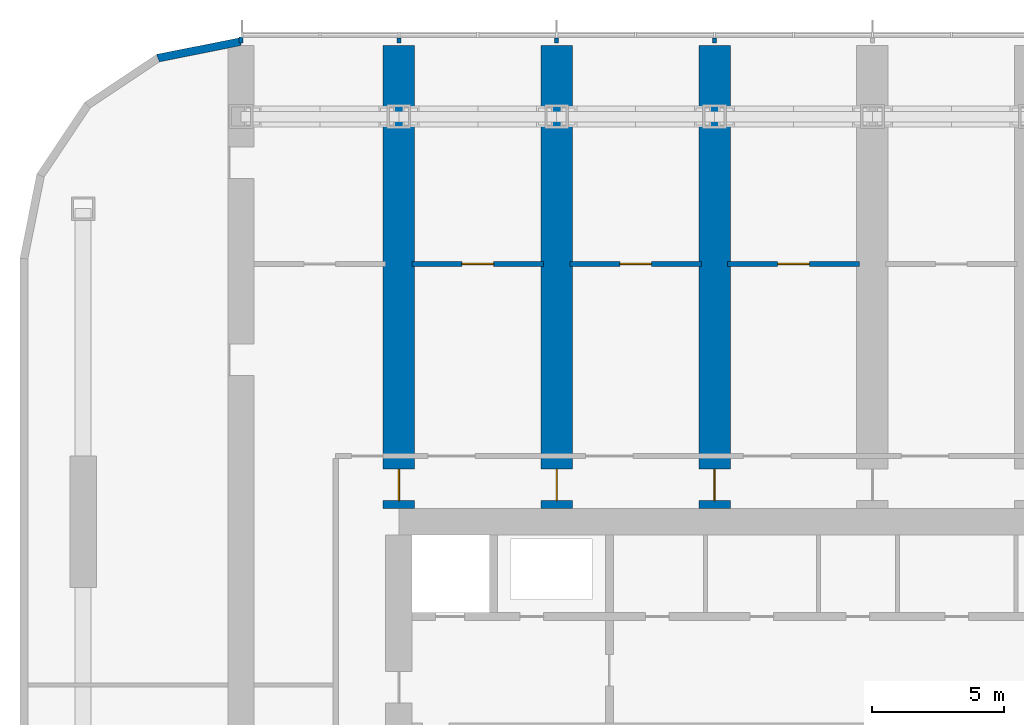
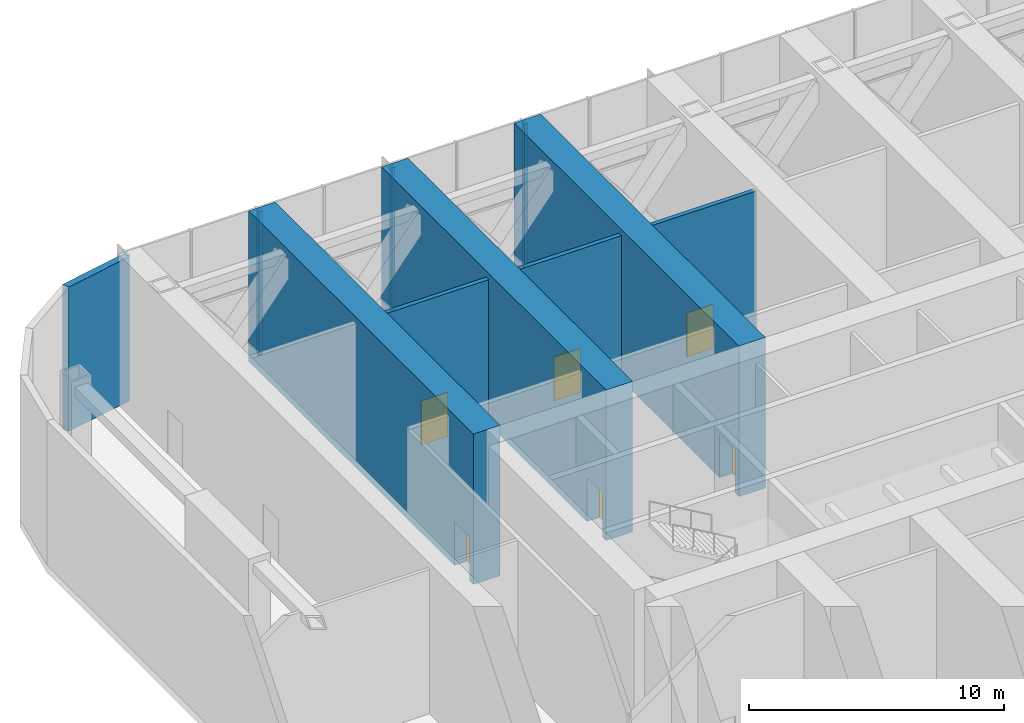
# One storey, part 13 of 24: 11 walls, 6 doors, 6 openings.
"""IFC4 building model written with IfcOpenShell, lengths in metres."""

from ifc_helpers import new_model, si_unit, direction, frame, frame_2d, origin, place, context, subcontext, project, spatial, polyline, rectangle, outline, extrude, material, layer, layer_set, type_object, element, fill, save


model = new_model("IFC4")

# Units and contexts
model_context = context("Model", 3, precision=1e-05, world=origin(), true_north=direction((0.0, 1.0)))
body_context = subcontext(model_context, "Body", "Model", "MODEL_VIEW")
ifc_project = project(units=[si_unit("LENGTHUNIT", "METRE"), si_unit("AREAUNIT", "SQUARE_METRE"), si_unit("VOLUMEUNIT", "CUBIC_METRE"), si_unit("PLANEANGLEUNIT", "RADIAN"), si_unit("MASSUNIT", "GRAM", prefix="KILO")], contexts=[model_context])

# Site, building, storey
site_placement = place(None, origin())
site = spatial("IfcSite", under=ifc_project, at=site_placement, CompositionType="ELEMENT")
building_placement = place(site_placement, origin())
building = spatial("IfcBuilding", under=site, at=building_placement, Name="Orbita Commons", CompositionType="ELEMENT")
storey_placement = place(building_placement, frame((0.0, 0.0, 68.949951171875)))
storey = spatial("IfcBuildingStorey", under=building, at=storey_placement, Name="L17", CompositionType="ELEMENT", Elevation=68.949951171875)

# Wall, opening, door
ifc_material_1 = material(Name="Hollow concrete block 200", Category="concrete")
ifc_layer_1 = layer(ifc_material_1, 0.199951171875)
ifc_layer_set_1 = layer_set([ifc_layer_1], Name="Hollow concrete block 200")
wall_type_1 = type_object("IfcWallType", Name="Corridor wall 200 hollow concrete block", PredefinedType="SOLIDWALL", material=ifc_layer_set_1)
wall_1_placement = place(storey_placement, frame((18.5, 48.0, 0.0), z_axis=(0.0, 0.0, 1.0), x_axis=(1.0, 0.0, 0.0)))
wall_1 = element("IfcWall", 1, at=wall_1_placement, inside=storey, type_object=wall_type_1, Name="Corridor wall 200 hollow concrete block L17", PredefinedType="SOLIDWALL", context=body_context, shape_type="SweptSolid", body=[
    extrude(rectangle(XDim=5.0, YDim=0.199951171875, at=frame_2d((2.5, 0.0))), origin(), (0.0, 0.0, 1.0), 6.900146484375),
])
opening_1_placement = place(wall_1_placement, frame((1.89990234375, 0.0, 0.0)))
opening_1 = element("IfcOpeningElement", 2, at=opening_1_placement, cuts=wall_1, Name="Opening D01", PredefinedType="OPENING", context=body_context, shape_type="SweptSolid", body=[
    extrude(rectangle(XDim=1.199951171875, YDim=2.10009765625, at=frame_2d((0.60009765625, 1.050048828125))), frame((0.0, 0.10986328125, 0.0), z_axis=(0.0, -1.0, 0.0), x_axis=(1.0, 0.0, 0.0)), (0.0, 0.0, 1.0), 0.219970703125),
])
ifc_material_2 = material(Name="Steel-faced fire door leaf", Category="steel")
door_type = type_object("IfcDoorType", Name="Fire door 90 min 1200x2100", OperationType="SINGLE_SWING_LEFT", PredefinedType="DOOR", material=ifc_material_2)
door_1_placement = place(opening_1_placement, origin())
door_1 = element("IfcDoor", 3, at=door_1_placement, inside=storey, type_object=door_type, Name="Plant room door L17", OperationType="SINGLE_SWING_LEFT", OverallHeight=2.10009765625, OverallWidth=1.199951171875, PredefinedType="DOOR", context=body_context, shape_type="SweptSolid", body=[
    extrude(rectangle(XDim=1.199951171875, YDim=2.10009765625, at=frame_2d((0.60009765625, 1.050048828125))), frame((0.0, 0.02490234375, 0.0), z_axis=(0.0, -1.0, 0.0), x_axis=(1.0, 0.0, 0.0)), (0.0, 0.0, 1.0), 0.050048828125),
])
fill(opening_1, door_1)

wall_2_placement = place(storey_placement, frame((24.5, 48.0, 0.0), z_axis=(0.0, 0.0, 1.0), x_axis=(1.0, 0.0, 0.0)))
wall_2 = element("IfcWall", 4, at=wall_2_placement, inside=storey, type_object=wall_type_1, Name="Corridor wall 200 hollow concrete block L17", PredefinedType="SOLIDWALL", context=body_context, shape_type="SweptSolid", body=[
    extrude(rectangle(XDim=5.0, YDim=0.199951171875, at=frame_2d((2.5, 0.0))), origin(), (0.0, 0.0, 1.0), 6.900146484375),
])
opening_2_placement = place(wall_2_placement, frame((1.89990234375, 0.0, 0.0)))
opening_2 = element("IfcOpeningElement", 5, at=opening_2_placement, cuts=wall_2, Name="Opening D01", PredefinedType="OPENING", context=body_context, shape_type="SweptSolid", body=[
    extrude(rectangle(XDim=1.199951171875, YDim=2.10009765625, at=frame_2d((0.60009765625, 1.050048828125))), frame((0.0, 0.10986328125, 0.0), z_axis=(0.0, -1.0, 0.0), x_axis=(1.0, 0.0, 0.0)), (0.0, 0.0, 1.0), 0.219970703125),
])
door_2_placement = place(opening_2_placement, origin())
door_2 = element("IfcDoor", 6, at=door_2_placement, inside=storey, type_object=door_type, Name="Plant room door L17", OperationType="SINGLE_SWING_LEFT", OverallHeight=2.10009765625, OverallWidth=1.199951171875, PredefinedType="DOOR", context=body_context, shape_type="SweptSolid", body=[
    extrude(rectangle(XDim=1.199951171875, YDim=2.10009765625, at=frame_2d((0.60009765625, 1.050048828125))), frame((0.0, 0.02490234375, 0.0), z_axis=(0.0, -1.0, 0.0), x_axis=(1.0, 0.0, 0.0)), (0.0, 0.0, 1.0), 0.050048828125),
])
fill(opening_2, door_2)

wall_3_placement = place(storey_placement, frame((30.5, 48.0, 0.0), z_axis=(0.0, 0.0, 1.0), x_axis=(1.0, 0.0, 0.0)))
wall_3 = element("IfcWall", 7, at=wall_3_placement, inside=storey, type_object=wall_type_1, Name="Corridor wall 200 hollow concrete block L17", PredefinedType="SOLIDWALL", context=body_context, shape_type="SweptSolid", body=[
    extrude(rectangle(XDim=5.0, YDim=0.199951171875, at=frame_2d((2.5, 0.0))), origin(), (0.0, 0.0, 1.0), 6.900146484375),
])
opening_3_placement = place(wall_3_placement, frame((1.89990234375, 0.0, 0.0)))
opening_3 = element("IfcOpeningElement", 8, at=opening_3_placement, cuts=wall_3, Name="Opening D01", PredefinedType="OPENING", context=body_context, shape_type="SweptSolid", body=[
    extrude(rectangle(XDim=1.199951171875, YDim=2.10009765625, at=frame_2d((0.60009765625, 1.050048828125))), frame((0.0, 0.10986328125, 0.0), z_axis=(0.0, -1.0, 0.0), x_axis=(1.0, 0.0, 0.0)), (0.0, 0.0, 1.0), 0.219970703125),
])
door_3_placement = place(opening_3_placement, origin())
door_3 = element("IfcDoor", 9, at=door_3_placement, inside=storey, type_object=door_type, Name="Plant room door L17", OperationType="SINGLE_SWING_LEFT", OverallHeight=2.10009765625, OverallWidth=1.199951171875, PredefinedType="DOOR", context=body_context, shape_type="SweptSolid", body=[
    extrude(rectangle(XDim=1.199951171875, YDim=2.10009765625, at=frame_2d((0.60009765625, 1.050048828125))), frame((0.0, 0.02490234375, 0.0), z_axis=(0.0, -1.0, 0.0), x_axis=(1.0, 0.0, 0.0)), (0.0, 0.0, 1.0), 0.050048828125),
])
fill(opening_3, door_3)

ifc_material_3 = material(Name="Concrete C50/60", Category="concrete")
ifc_layer_2 = layer(ifc_material_3, 1.199951171875)
ifc_layer_set_2 = layer_set([ifc_layer_2], Name="Concrete C50/60")
wall_type_2 = type_object("IfcWallType", Name="Outrigger wall 1200 C50/60", PredefinedType="SHEAR", material=ifc_layer_set_2)
wall_4_placement = place(storey_placement, frame((18.0, 38.699951171875, 0.0), z_axis=(0.0, 0.0, 1.0), x_axis=(0.0, 1.0, 0.0)))
wall_4 = element("IfcWall", 10, at=wall_4_placement, inside=storey, type_object=wall_type_2, Name="Outrigger wall 4 north L17", PredefinedType="SHEAR", context=body_context, shape_type="SweptSolid", body=[
    extrude(rectangle(XDim=17.60009765625, YDim=1.199951171875, at=frame_2d((8.800048828125, 0.0))), origin(), (0.0, 0.0, 1.0), 7.199951171875),
])
opening_4_placement = place(wall_4_placement, frame((0.300048828125, 0.0, 0.0)))
opening_4 = element("IfcOpeningElement", 11, at=opening_4_placement, cuts=wall_4, Name="Opening D01", PredefinedType="OPENING", context=body_context, shape_type="SweptSolid", body=[
    extrude(rectangle(XDim=1.199951171875, YDim=2.10009765625, at=frame_2d((0.60009765625, 1.050048828125))), frame((0.0, 0.60986328125, 0.0), z_axis=(0.0, -1.0, 0.0), x_axis=(1.0, 0.0, 0.0)), (0.0, 0.0, 1.0), 1.219970703125),
])
door_4_placement = place(opening_4_placement, origin())
door_4 = element("IfcDoor", 12, at=door_4_placement, inside=storey, type_object=door_type, Name="Corridor door through cross wall N L17", OperationType="SINGLE_SWING_LEFT", OverallHeight=2.10009765625, OverallWidth=1.199951171875, PredefinedType="DOOR", context=body_context, shape_type="SweptSolid", body=[
    extrude(rectangle(XDim=1.199951171875, YDim=2.10009765625, at=frame_2d((0.60009765625, 1.050048828125))), frame((0.0, 0.02490234375, 0.0), z_axis=(0.0, -1.0, 0.0), x_axis=(1.0, 0.0, 0.0)), (0.0, 0.0, 1.0), 0.050048828125),
])
fill(opening_4, door_4)

wall_5_placement = place(storey_placement, frame((24.0, 38.699951171875, 0.0), z_axis=(0.0, 0.0, 1.0), x_axis=(0.0, 1.0, 0.0)))
wall_5 = element("IfcWall", 13, at=wall_5_placement, inside=storey, type_object=wall_type_2, Name="Outrigger wall 5 north L17", PredefinedType="SHEAR", context=body_context, shape_type="SweptSolid", body=[
    extrude(rectangle(XDim=17.60009765625, YDim=1.199951171875, at=frame_2d((8.800048828125, 0.0))), origin(), (0.0, 0.0, 1.0), 7.199951171875),
])
opening_5_placement = place(wall_5_placement, frame((0.300048828125, 0.0, 0.0)))
opening_5 = element("IfcOpeningElement", 14, at=opening_5_placement, cuts=wall_5, Name="Opening D01", PredefinedType="OPENING", context=body_context, shape_type="SweptSolid", body=[
    extrude(rectangle(XDim=1.199951171875, YDim=2.10009765625, at=frame_2d((0.60009765625, 1.050048828125))), frame((0.0, 0.60986328125, 0.0), z_axis=(0.0, -1.0, 0.0), x_axis=(1.0, 0.0, 0.0)), (0.0, 0.0, 1.0), 1.219970703125),
])
door_5_placement = place(opening_5_placement, origin())
door_5 = element("IfcDoor", 15, at=door_5_placement, inside=storey, type_object=door_type, Name="Corridor door through cross wall N L17", OperationType="SINGLE_SWING_LEFT", OverallHeight=2.10009765625, OverallWidth=1.199951171875, PredefinedType="DOOR", context=body_context, shape_type="SweptSolid", body=[
    extrude(rectangle(XDim=1.199951171875, YDim=2.10009765625, at=frame_2d((0.60009765625, 1.050048828125))), frame((0.0, 0.02490234375, 0.0), z_axis=(0.0, -1.0, 0.0), x_axis=(1.0, 0.0, 0.0)), (0.0, 0.0, 1.0), 0.050048828125),
])
fill(opening_5, door_5)

wall_6_placement = place(storey_placement, frame((30.0, 38.699951171875, 0.0), z_axis=(0.0, 0.0, 1.0), x_axis=(0.0, 1.0, 0.0)))
wall_6 = element("IfcWall", 16, at=wall_6_placement, inside=storey, type_object=wall_type_2, Name="Outrigger wall 6 north L17", PredefinedType="SHEAR", context=body_context, shape_type="SweptSolid", body=[
    extrude(rectangle(XDim=17.60009765625, YDim=1.199951171875, at=frame_2d((8.800048828125, 0.0))), origin(), (0.0, 0.0, 1.0), 7.199951171875),
])
opening_6_placement = place(wall_6_placement, frame((0.300048828125, 0.0, 0.0)))
opening_6 = element("IfcOpeningElement", 17, at=opening_6_placement, cuts=wall_6, Name="Opening D01", PredefinedType="OPENING", context=body_context, shape_type="SweptSolid", body=[
    extrude(rectangle(XDim=1.199951171875, YDim=2.10009765625, at=frame_2d((0.60009765625, 1.050048828125))), frame((0.0, 0.60986328125, 0.0), z_axis=(0.0, -1.0, 0.0), x_axis=(1.0, 0.0, 0.0)), (0.0, 0.0, 1.0), 1.219970703125),
])
door_6_placement = place(opening_6_placement, origin())
door_6 = element("IfcDoor", 18, at=door_6_placement, inside=storey, type_object=door_type, Name="Corridor door through cross wall N L17", OperationType="SINGLE_SWING_LEFT", OverallHeight=2.10009765625, OverallWidth=1.199951171875, PredefinedType="DOOR", context=body_context, shape_type="SweptSolid", body=[
    extrude(rectangle(XDim=1.199951171875, YDim=2.10009765625, at=frame_2d((0.60009765625, 1.050048828125))), frame((0.0, 0.02490234375, 0.0), z_axis=(0.0, -1.0, 0.0), x_axis=(1.0, 0.0, 0.0)), (0.0, 0.0, 1.0), 0.050048828125),
])
fill(opening_6, door_6)

# Walls
ifc_material_4 = material(Name="Gypsum plasterboard on steel studs", Category="steel")
ifc_layer_3 = layer(ifc_material_4, 0.14990234375)
ifc_layer_set_3 = layer_set([ifc_layer_3], Name="Gypsum plasterboard on steel studs")
wall_type_3 = type_object("IfcWallType", Name="Partition 150 plasterboard", PredefinedType="PARTITIONING", material=ifc_layer_set_3)
wall_7_placement = place(storey_placement, frame((12.0, 56.39990234375, 0.0), z_axis=(0.0, 0.0, 1.0), x_axis=(0.0, 1.0, 0.0)))
element("IfcWall", 19, at=wall_7_placement, inside=storey, type_object=wall_type_3, Name="Partition 150 plasterboard L17", PredefinedType="PARTITIONING", context=body_context, shape_type="SweptSolid", body=[
    extrude(rectangle(XDim=0.22021484375, YDim=0.14990234375, at=frame_2d((0.110107421875, 0.0))), origin(), (0.0, 0.0, 1.0), 6.900146484375),
])
for number, where, z_axis, x_axis, name in (
    (20, (18.0, 56.39990234375, 0.0), (0.0, 0.0, 1.0), (0.0, 1.0, 0.0), "Partition 150 plasterboard L17"),
    (21, (24.0, 56.39990234375, 0.0), (0.0, 0.0, 1.0), (0.0, 1.0, 0.0), "Partition 150 plasterboard L17"),
    (22, (30.0, 56.39990234375, 0.0), (0.0, 0.0, 1.0), (0.0, 1.0, 0.0), "Partition 150 plasterboard L17"),
):
    element("IfcWall", number, at=place(storey_placement, frame(where, z_axis=z_axis, x_axis=x_axis)), inside=storey, type_object=wall_type_3, Name=name, PredefinedType="PARTITIONING", context=body_context, shape_type="SweptSolid", body=[
        extrude(rectangle(XDim=0.190185546875, YDim=0.14990234375, at=frame_2d((0.09521484375, 0.0))), origin(), (0.0, 0.0, 1.0), 6.900146484375),
    ])
ifc_material_5 = material(Name="Precast concrete C40/50, white board-marked finish", Category="concrete")
ifc_layer_4 = layer(ifc_material_5, 0.300048828125)
ifc_layer_set_4 = layer_set([ifc_layer_4], Name="Precast concrete C40/50, white board-marked finish")
wall_type_4 = type_object("IfcWallType", Name="Precast concrete end shield 300", PredefinedType="SOLIDWALL", material=ifc_layer_set_4)
wall_8_placement = place(storey_placement, frame((12.0, 56.449951171875, 0.0), z_axis=(0.0, 0.0, 1.0), x_axis=(-0.980787251524, -0.195080412259, 0.0)))
element("IfcWall", 23, at=wall_8_placement, inside=storey, type_object=wall_type_4, Name="End shield NW chord 1 L17", PredefinedType="SOLIDWALL", context=body_context, shape_type="SweptSolid", body=[
    extrude(outline(polyline([(-0.02978515625, -0.14990234375), (3.24853515625, -0.14990234375), (3.18896484375, 0.14990234375), (0.02978515625, 0.14990234375), (-0.02978515625, -0.14990234375)])), origin(), (0.0, 0.0, 1.0), 6.900146484375),
])

save(model, "model.ifc")
